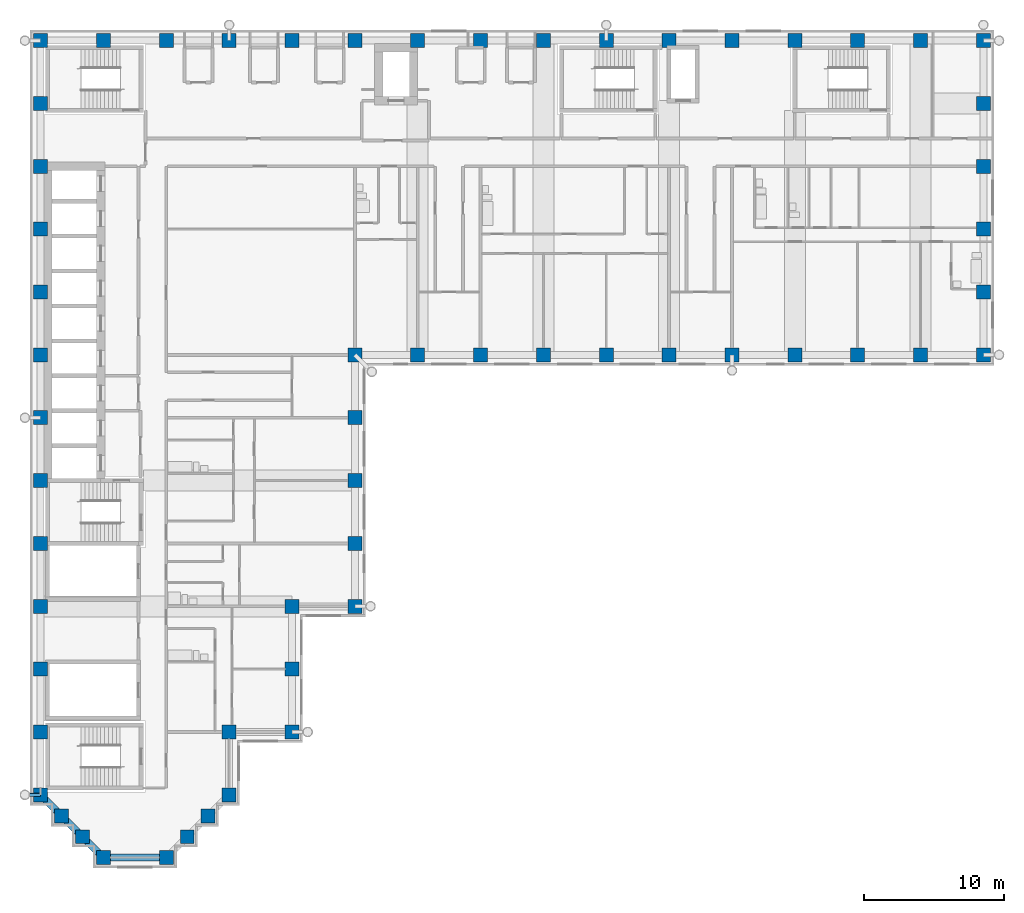
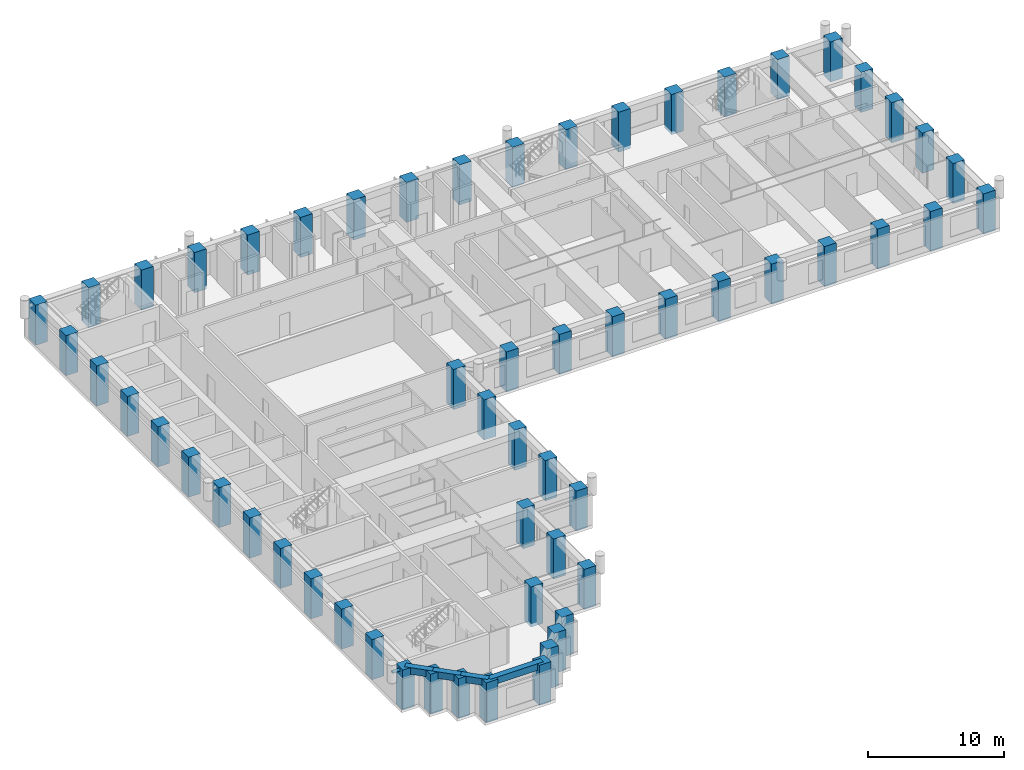
# One storey, part 1 of 15: 58 columns, 4 beams, 1 member.
"""IFC4 building model written with IfcOpenShell, lengths in metres."""

from ifc_helpers import new_model, si_unit, direction, frame, origin, origin_2d, place, context, subcontext, project, spatial, rectangle, hollow_circle, extrude, material, material_profile, profile_set, type_object, element, save


model = new_model("IFC4")

# Units and contexts
model_context = context("Model", 3, precision=1e-05, world=origin(), true_north=direction((0.0, 1.0)))
body_context = subcontext(model_context, "Body", "Model", "MODEL_VIEW")
ifc_project = project(units=[si_unit("LENGTHUNIT", "METRE"), si_unit("AREAUNIT", "SQUARE_METRE"), si_unit("VOLUMEUNIT", "CUBIC_METRE"), si_unit("PLANEANGLEUNIT", "RADIAN"), si_unit("MASSUNIT", "GRAM", prefix="KILO")], contexts=[model_context])

# Site, building, storey
site_placement = place(None, origin())
site = spatial("IfcSite", under=ifc_project, at=site_placement, CompositionType="ELEMENT")
building_placement = place(site_placement, origin())
building = spatial("IfcBuilding", under=site, at=building_placement, Name="Firuza Court", CompositionType="ELEMENT")
storey_placement = place(building_placement, frame((0.0, 0.0, 137.60009765625)))
storey = spatial("IfcBuildingStorey", under=building, at=storey_placement, Name="L34", CompositionType="ELEMENT", Elevation=137.60009765625)

# Columns
ifc_material_1 = material(Name="Concrete C60/75", Category="concrete")
ifc_material_profile_1 = material_profile(ifc_material_1, rectangle(XDim=1.0, YDim=1.0, at=origin_2d()), Name="RC 1000x1000")
ifc_profile_set_1 = profile_set([ifc_material_profile_1], Name="Concrete C60/75")
column_type = type_object("IfcColumnType", Name="Tube column RC 1000x1000 C60/75", PredefinedType="COLUMN", material=ifc_profile_set_1)
for number, where, z_axis, x_axis, name in (
    (1, (4.5, 0.0, -0.300048828125), (0.0, 0.0, 1.0), (1.0, 0.0, 0.0), "Column C-2D L34"),
    (2, (9.0, 0.0, -0.300048828125), (0.0, 0.0, 1.0), (1.0, 0.0, 0.0), "Column C-3D L34"),
    (3, (3.0, 1.5, -0.300048828125), (0.0, 0.0, 1.0), (1.0, 0.0, 0.0), "Column C-SA1 L34"),
    (4, (10.5, 1.5, -0.300048828125), (0.0, 0.0, 1.0), (1.0, 0.0, 0.0), "Column C-SA2 L34"),
    (5, (1.5, 3.0, -0.300048828125), (0.0, 0.0, 1.0), (1.0, 0.0, 0.0), "Column C-SA3 L34"),
    (6, (12.0, 3.0, -0.300048828125), (0.0, 0.0, 1.0), (1.0, 0.0, 0.0), "Column C-SA4 L34"),
    (7, (0.0, 4.5, -0.300048828125), (0.0, 0.0, 1.0), (1.0, 0.0, 0.0), "Column C-1E L34"),
    (8, (13.5, 4.5, -0.300048828125), (0.0, 0.0, 1.0), (1.0, 0.0, 0.0), "Column C-4E L34"),
    (9, (0.0, 9.0, -0.300048828125), (0.0, 0.0, 1.0), (1.0, 0.0, 0.0), "Column C-1F L34"),
    (10, (13.5, 9.0, -0.300048828125), (0.0, 0.0, 1.0), (1.0, 0.0, 0.0), "Column C-4F L34"),
    (11, (18.0, 9.0, -0.300048828125), (0.0, 0.0, 1.0), (1.0, 0.0, 0.0), "Column C-5F L34"),
    (12, (0.0, 13.5, -0.300048828125), (0.0, 0.0, 1.0), (1.0, 0.0, 0.0), "Column C-1G L34"),
    (13, (18.0, 13.5, -0.300048828125), (0.0, 0.0, 1.0), (1.0, 0.0, 0.0), "Column C-5G L34"),
    (14, (0.0, 18.0, -0.300048828125), (0.0, 0.0, 1.0), (1.0, 0.0, 0.0), "Column C-1H L34"),
    (15, (18.0, 18.0, -0.300048828125), (0.0, 0.0, 1.0), (1.0, 0.0, 0.0), "Column C-5H L34"),
    (16, (22.5, 18.0, -0.300048828125), (0.0, 0.0, 1.0), (1.0, 0.0, 0.0), "Column C-6H L34"),
    (17, (0.0, 22.5, -0.300048828125), (0.0, 0.0, 1.0), (1.0, 0.0, 0.0), "Column C-1J L34"),
    (18, (22.5, 22.5, -0.300048828125), (0.0, 0.0, 1.0), (1.0, 0.0, 0.0), "Column C-6J L34"),
    (19, (0.0, 27.0, -0.300048828125), (0.0, 0.0, 1.0), (1.0, 0.0, 0.0), "Column C-1K L34"),
    (20, (22.5, 27.0, -0.300048828125), (0.0, 0.0, 1.0), (1.0, 0.0, 0.0), "Column C-6K L34"),
    (21, (0.0, 31.5, -0.300048828125), (0.0, 0.0, 1.0), (1.0, 0.0, 0.0), "Column C-1L L34"),
    (22, (22.5, 31.5, -0.300048828125), (0.0, 0.0, 1.0), (1.0, 0.0, 0.0), "Column C-6L L34"),
    (23, (0.0, 36.0, -0.300048828125), (0.0, 0.0, 1.0), (1.0, 0.0, 0.0), "Column C-1M L34"),
    (24, (22.5, 36.0, -0.300048828125), (0.0, 0.0, 1.0), (1.0, 0.0, 0.0), "Column C-6M L34"),
    (25, (27.0, 36.0, -0.300048828125), (0.0, 0.0, 1.0), (1.0, 0.0, 0.0), "Column C-7M L34"),
    (26, (31.5, 36.0, -0.300048828125), (0.0, 0.0, 1.0), (1.0, 0.0, 0.0), "Column C-8M L34"),
    (27, (36.0, 36.0, -0.300048828125), (0.0, 0.0, 1.0), (1.0, 0.0, 0.0), "Column C-9M L34"),
    (28, (40.5, 36.0, -0.300048828125), (0.0, 0.0, 1.0), (1.0, 0.0, 0.0), "Column C-10M L34"),
    (29, (45.0, 36.0, -0.300048828125), (0.0, 0.0, 1.0), (1.0, 0.0, 0.0), "Column C-11M L34"),
    (30, (49.5, 36.0, -0.300048828125), (0.0, 0.0, 1.0), (1.0, 0.0, 0.0), "Column C-12M L34"),
    (31, (54.0, 36.0, -0.300048828125), (0.0, 0.0, 1.0), (1.0, 0.0, 0.0), "Column C-13M L34"),
    (32, (58.5, 36.0, -0.300048828125), (0.0, 0.0, 1.0), (1.0, 0.0, 0.0), "Column C-14M L34"),
    (33, (63.0, 36.0, -0.300048828125), (0.0, 0.0, 1.0), (1.0, 0.0, 0.0), "Column C-15M L34"),
    (34, (67.5, 36.0, -0.300048828125), (0.0, 0.0, 1.0), (1.0, 0.0, 0.0), "Column C-16M L34"),
    (35, (0.0, 40.5, -0.300048828125), (0.0, 0.0, 1.0), (1.0, 0.0, 0.0), "Column C-1N L34"),
    (36, (67.5, 40.5, -0.300048828125), (0.0, 0.0, 1.0), (1.0, 0.0, 0.0), "Column C-16N L34"),
    (37, (0.0, 45.0, -0.300048828125), (0.0, 0.0, 1.0), (1.0, 0.0, 0.0), "Column C-1P L34"),
    (38, (67.5, 45.0, -0.300048828125), (0.0, 0.0, 1.0), (1.0, 0.0, 0.0), "Column C-16P L34"),
    (39, (0.0, 49.5, -0.300048828125), (0.0, 0.0, 1.0), (1.0, 0.0, 0.0), "Column C-1Q L34"),
    (40, (67.5, 49.5, -0.300048828125), (0.0, 0.0, 1.0), (1.0, 0.0, 0.0), "Column C-16Q L34"),
    (41, (0.0, 54.0, -0.300048828125), (0.0, 0.0, 1.0), (1.0, 0.0, 0.0), "Column C-1R L34"),
    (42, (67.5, 54.0, -0.300048828125), (0.0, 0.0, 1.0), (1.0, 0.0, 0.0), "Column C-16R L34"),
    (43, (0.0, 58.5, -0.300048828125), (0.0, 0.0, 1.0), (1.0, 0.0, 0.0), "Column C-1S L34"),
    (44, (4.5, 58.5, -0.300048828125), (0.0, 0.0, 1.0), (1.0, 0.0, 0.0), "Column C-2S L34"),
    (45, (9.0, 58.5, -0.300048828125), (0.0, 0.0, 1.0), (1.0, 0.0, 0.0), "Column C-3S L34"),
    (46, (13.5, 58.5, -0.300048828125), (0.0, 0.0, 1.0), (1.0, 0.0, 0.0), "Column C-4S L34"),
    (47, (18.0, 58.5, -0.300048828125), (0.0, 0.0, 1.0), (1.0, 0.0, 0.0), "Column C-5S L34"),
    (48, (22.5, 58.5, -0.300048828125), (0.0, 0.0, 1.0), (1.0, 0.0, 0.0), "Column C-6S L34"),
    (49, (27.0, 58.5, -0.300048828125), (0.0, 0.0, 1.0), (1.0, 0.0, 0.0), "Column C-7S L34"),
    (50, (31.5, 58.5, -0.300048828125), (0.0, 0.0, 1.0), (1.0, 0.0, 0.0), "Column C-8S L34"),
    (51, (36.0, 58.5, -0.300048828125), (0.0, 0.0, 1.0), (1.0, 0.0, 0.0), "Column C-9S L34"),
    (52, (40.5, 58.5, -0.300048828125), (0.0, 0.0, 1.0), (1.0, 0.0, 0.0), "Column C-10S L34"),
    (53, (45.0, 58.5, -0.300048828125), (0.0, 0.0, 1.0), (1.0, 0.0, 0.0), "Column C-11S L34"),
    (54, (49.5, 58.5, -0.300048828125), (0.0, 0.0, 1.0), (1.0, 0.0, 0.0), "Column C-12S L34"),
    (55, (54.0, 58.5, -0.300048828125), (0.0, 0.0, 1.0), (1.0, 0.0, 0.0), "Column C-13S L34"),
    (56, (58.5, 58.5, -0.300048828125), (0.0, 0.0, 1.0), (1.0, 0.0, 0.0), "Column C-14S L34"),
    (57, (63.0, 58.5, -0.300048828125), (0.0, 0.0, 1.0), (1.0, 0.0, 0.0), "Column C-15S L34"),
    (58, (67.5, 58.5, -0.300048828125), (0.0, 0.0, 1.0), (1.0, 0.0, 0.0), "Column C-16S L34"),
):
    element("IfcColumn", number, at=place(storey_placement, frame(where, z_axis=z_axis, x_axis=x_axis)), inside=storey, type_object=column_type, Name=name, PredefinedType="COLUMN", context=body_context, shape_type="SweptSolid", body=[
        extrude(rectangle(XDim=1.0, YDim=1.0, at=origin_2d()), origin(), (0.0, 0.0, 1.0), 3.599853515625),
    ])

# Member
ifc_material_2 = material(Name="Steel S355", Category="steel")
ifc_material_profile_2 = material_profile(ifc_material_2, hollow_circle(Radius=0.136474609375, WallThickness=0.012451171875, at=origin_2d()), Name="CHS 273x12.5")
ifc_profile_set_2 = profile_set([ifc_material_profile_2], Name="Steel S355")
member_type = type_object("IfcMemberType", Name="Diagrid tie CHS 273x12.5 S355", PredefinedType="STRUT", material=ifc_profile_set_2)
member_placement = place(storey_placement, frame((0.0, 4.5, 3.0498046875), z_axis=(-1.0, 0.0, 0.0), x_axis=(0.0, -1.0, 0.0)))
element("IfcMember", 59, at=member_placement, inside=storey, type_object=member_type, Name="Diagrid tie level L35", PredefinedType="STRUT", context=body_context, shape_type="SweptSolid", body=[
    extrude(hollow_circle(Radius=0.136474609375, WallThickness=0.012451171875, at=origin_2d()), origin(), (0.0, 0.0, 1.0), 1.1201171875),
])

# Beams
ifc_material_3 = material(Name="Concrete C40/50", Category="concrete")
ifc_material_profile_3 = material_profile(ifc_material_3, rectangle(XDim=0.5, YDim=0.60009765625, at=origin_2d()), Name="RC 500x600")
ifc_profile_set_3 = profile_set([ifc_material_profile_3], Name="Concrete C40/50")
beam_type = type_object("IfcBeamType", Name="Spandrel beam RC 500x600 C40/50", PredefinedType="BEAM", material=ifc_profile_set_3)
for number, where, z_axis, x_axis, name in (
    (60, (0.0, 4.5, 3.0), (0.707106781187, -0.707106781187, 0.0), (0.707106781187, 0.707106781187, 0.0), "Spandrel beam SP13 level L35"),
    (61, (1.5, 3.0, 3.0), (0.707106781187, -0.707106781187, 0.0), (0.707106781187, 0.707106781187, 0.0), "Spandrel beam SP13 level L35"),
    (62, (3.0, 1.5, 3.0), (0.707106781187, -0.707106781187, 0.0), (0.707106781187, 0.707106781187, 0.0), "Spandrel beam SP13 level L35"),
):
    element("IfcBeam", number, at=place(storey_placement, frame(where, z_axis=z_axis, x_axis=x_axis)), inside=storey, type_object=beam_type, Name=name, PredefinedType="BEAM", context=body_context, shape_type="SweptSolid", body=[
        extrude(rectangle(XDim=0.5, YDim=0.60009765625, at=origin_2d()), origin(), (0.0, 0.0, 1.0), 2.121337890625),
    ])
beam_placement = place(storey_placement, frame((4.5, 0.0, 3.0), z_axis=(1.0, 0.0, 0.0), x_axis=(0.0, 1.0, 0.0)))
element("IfcBeam", 63, at=beam_placement, inside=storey, type_object=beam_type, Name="Spandrel beam SP13 level L35", PredefinedType="BEAM", context=body_context, shape_type="SweptSolid", body=[
    extrude(rectangle(XDim=0.5, YDim=0.60009765625, at=origin_2d()), origin(), (0.0, 0.0, 1.0), 4.5),
])

save(model, "model.ifc")
